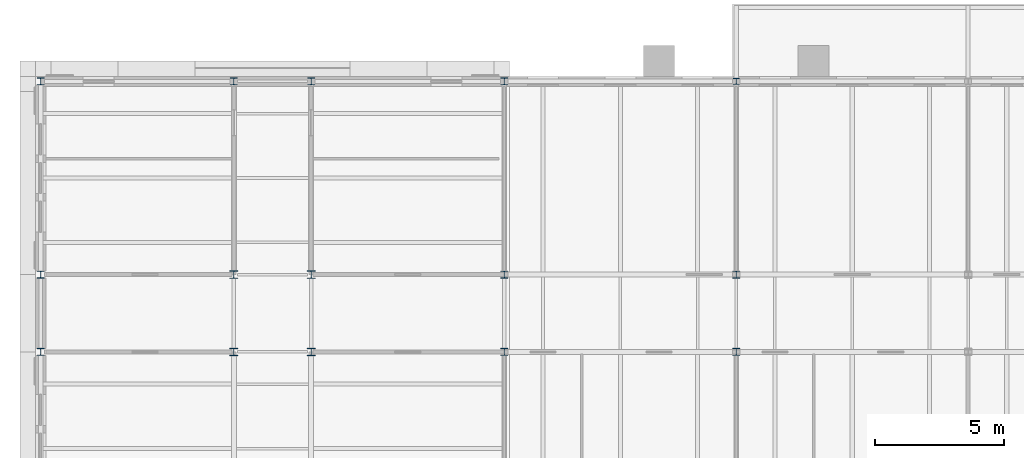
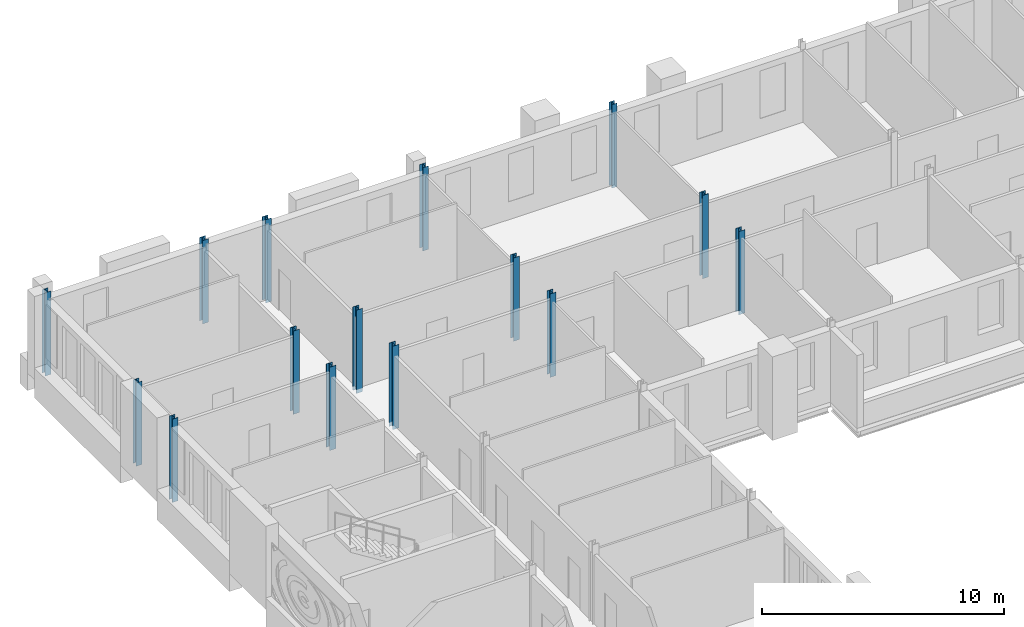
# One storey, part 10 of 154: 15 columns.
"""IFC4 building model written with IfcOpenShell, lengths in metres."""

import ifcopenshell
import ifcopenshell.guid

model = None  # the IFC model being written
_history = None  # IfcOwnerHistory: only IFC2X3 demands one
_inside = {}  # id of a spatial element -> (the spatial element, [elements in it])
_under = {}  # id of a project, library or spatial element -> (it, [spatial elements below it])
_declared = {}  # id of a project -> (the project, [libraries it declares])
_typed = {}  # id of a type object -> (the type object, [elements of that type])
_made_of = {}  # id of a material, layer set ... -> (it, [elements and type objects made of it])


def new_model(schema):
    """Start an empty IFC model of exactly this schema.

    Asked for "IFC4X3", IfcOpenShell would pick the latest addendum, in which some entities
    have other attributes; the version numbers below select the first issue.
    IFC2X3 requires an IfcOwnerHistory on every rooted entity: one is made here for all.
    """
    global model, _history
    if schema == "IFC4X3":
        model = ifcopenshell.file(schema_version=(4, 3, 0, 0))
    else:
        model = ifcopenshell.file(schema=schema)
    _inside.clear()
    _under.clear()
    _declared.clear()
    _typed.clear()
    _made_of.clear()
    _history = None
    if model.schema == "IFC2X3":
        org = make("IfcOrganization", Name="unknown")
        user = make(
            "IfcPersonAndOrganization",
            ThePerson=make("IfcPerson", FamilyName="unknown"),
            TheOrganization=org,
        )
        app = make(
            "IfcApplication",
            ApplicationDeveloper=org,
            Version="unknown",
            ApplicationFullName="unknown",
            ApplicationIdentifier="unknown",
        )
        _history = make(
            "IfcOwnerHistory",
            OwningUser=user,
            OwningApplication=app,
            ChangeAction="ADDED",
            CreationDate=0,
        )
    return model


def make(cls, **values):
    """One entity of the class cls with the attributes given. An attribute that is None is left unset."""
    return model.create_entity(
        cls, **{name: value for name, value in values.items() if value is not None}
    )


def rooted(cls, **values):
    """An entity with a GlobalId (a new one), such as an element, a storey or a relation."""
    return make(cls, GlobalId=ifcopenshell.guid.new(), OwnerHistory=_history, **values)


def si_unit(unit_type, name, prefix=None):
    """IfcSIUnit, for example si_unit("LENGTHUNIT", "METRE", prefix="MILLI")."""
    return make("IfcSIUnit", UnitType=unit_type, Prefix=prefix, Name=name)


def assignment(units):
    """IfcUnitAssignment: the units of a project."""
    return None if units is None else make("IfcUnitAssignment", Units=units)


def point(xyz):
    """IfcCartesianPoint."""
    return None if xyz is None else make("IfcCartesianPoint", Coordinates=xyz)


def direction(xyz):
    """IfcDirection."""
    return None if xyz is None else make("IfcDirection", DirectionRatios=xyz)


def frame(location, z_axis=None, x_axis=None):
    """IfcAxis2Placement3D, a coordinate frame: its origin and axes. An axis left out is left unset."""
    return make(
        "IfcAxis2Placement3D",
        Location=point(location),
        Axis=direction(z_axis),
        RefDirection=direction(x_axis),
    )


def frame_2d(location, x_axis=None):
    """IfcAxis2Placement2D, a coordinate frame in the plane: its origin and x axis."""
    return make(
        "IfcAxis2Placement2D", Location=point(location), RefDirection=direction(x_axis)
    )


def origin():
    """The frame at (0, 0, 0) with its axes left unset."""
    return frame((0.0, 0.0, 0.0))


def origin_2d():
    """The frame at (0, 0) in the plane with its x axis left unset."""
    return frame_2d((0.0, 0.0))


def place(relative_to, where):
    """IfcLocalPlacement: puts the frame where relative to a parent placement (None: the world)."""
    return make(
        "IfcLocalPlacement", PlacementRelTo=relative_to, RelativePlacement=where
    )


def context(
    kind, dimensions, precision=None, world=None, true_north=None, identifier=None
):
    """IfcGeometricRepresentationContext, for example the 3D "Model" context."""
    return make(
        "IfcGeometricRepresentationContext",
        ContextIdentifier=identifier,
        ContextType=kind,
        CoordinateSpaceDimension=dimensions,
        Precision=precision,
        WorldCoordinateSystem=world,
        TrueNorth=true_north,
    )


def subcontext(parent, identifier, kind, view, scale=None):
    """IfcGeometricRepresentationSubContext, for example "Body" below "Model"."""
    return make(
        "IfcGeometricRepresentationSubContext",
        ContextIdentifier=identifier,
        ContextType=kind,
        ParentContext=parent,
        TargetScale=scale,
        TargetView=view,
    )


def project(units=None, contexts=None):
    """IfcProject with its units and contexts."""
    return rooted(
        "IfcProject",
        Name="project",
        RepresentationContexts=contexts,
        UnitsInContext=assignment(units),
    )


def spatial(cls, under=None, at=None, **own):
    """A site, building, storey or space (cls), placed at a placement, below another one or the project."""
    s = rooted(cls, ObjectPlacement=at, **own)
    if under is not None:
        _under.setdefault(under.id(), (under, []))[1].append(s)
    return s


def profile(cls, at=None, kind="AREA", **sizes):
    """A parametric profile (cls). Its sizes go by their IFC names, for example OverallWidth=200.0."""
    return make(cls, ProfileType=kind, Position=at, **sizes)


def i_section(**sizes):
    """IfcIShapeProfileDef."""
    return profile("IfcIShapeProfileDef", **sizes)


def extrude(swept, where, along, depth):
    """IfcExtrudedAreaSolid: the profile swept, set in the frame where, extruded along a direction by depth."""
    return make(
        "IfcExtrudedAreaSolid",
        SweptArea=swept,
        Position=where,
        ExtrudedDirection=direction(along),
        Depth=depth,
    )


def shape(context_of_items, identifier, shape_type, items):
    """IfcShapeRepresentation: the items that make up one representation, for example the "Body"."""
    return make(
        "IfcShapeRepresentation",
        ContextOfItems=context_of_items,
        RepresentationIdentifier=identifier,
        RepresentationType=shape_type,
        Items=items,
    )


def material(Name=None, Category=None):
    """IfcMaterial."""
    return make("IfcMaterial", Name=Name, Category=Category)


def material_profile(
    of_material, cross_section, Name=None, Category=None, Priority=None
):
    """IfcMaterialProfile: a cross section and its material."""
    return make(
        "IfcMaterialProfile",
        Name=Name,
        Material=of_material,
        Profile=cross_section,
        Priority=Priority,
        Category=Category,
    )


def profile_set(profiles, Name=None, composite=None):
    """IfcMaterialProfileSet."""
    return make(
        "IfcMaterialProfileSet",
        Name=Name,
        MaterialProfiles=profiles,
        CompositeProfile=composite,
    )


def made_of(thing, what):
    """Note that an element or type object is made of a material, layer set ...; save() writes the relation."""
    if what is not None:
        _made_of.setdefault(what.id(), (what, []))[1].append(thing)
    return thing


def type_object(cls, material=None, **own):
    """A type object (cls), such as IfcWallType, which elements share."""
    return made_of(rooted(cls, **own), material)


def element(
    cls,
    number,
    at=None,
    inside=None,
    cuts=None,
    type_object=None,
    material=None,
    context=None,
    identifier="Body",
    shape_type=None,
    held_by="IfcProductDefinitionShape",
    body=None,
    shapes=None,
    **own,
):
    """One element of the class cls, such as IfcWall. Its Tag is "e" and its number.

    at: its placement. inside: the storey or other place that contains it. cuts: it is an
    opening in that element (IfcRelVoidsElement). A single representation is given by context,
    identifier, shape_type and body (its items); several are given by shapes. held_by: the class
    of the entity that holds the representations. save() writes the other relations.
    """
    e = rooted(cls, Tag="e%d" % number, ObjectPlacement=at, **own)
    if body is not None:
        shapes = [shape(context, identifier, shape_type, body)]
    if shapes is not None:
        e.Representation = make(held_by, Representations=shapes)
    if inside is not None:
        _inside.setdefault(inside.id(), (inside, []))[1].append(e)
    if cuts is not None:
        rooted(
            "IfcRelVoidsElement", RelatingBuildingElement=cuts, RelatedOpeningElement=e
        )
    if type_object is not None:
        _typed.setdefault(type_object.id(), (type_object, []))[1].append(e)
    return made_of(e, material)


def aggregate(whole, parts):
    """IfcRelAggregates: a whole, such as a stair, and the parts it consists of."""
    return rooted("IfcRelAggregates", RelatingObject=whole, RelatedObjects=parts)


def save(model, path):
    """Write the relations noted so far, then the file.

    IfcRelAggregates (storeys below a building ...), IfcRelContainedInSpatialStructure (elements
    in a storey), IfcRelDefinesByType, IfcRelAssociatesMaterial and IfcRelDeclares: one each for
    every whole, place, type object, material and project.
    """
    for whole, parts in _under.values():
        aggregate(whole, parts)
    for where, things in _inside.values():
        rooted(
            "IfcRelContainedInSpatialStructure",
            RelatedElements=things,
            RelatingStructure=where,
        )
    for kind, things in _typed.values():
        rooted("IfcRelDefinesByType", RelatedObjects=things, RelatingType=kind)
    for what, things in _made_of.values():
        rooted("IfcRelAssociatesMaterial", RelatedObjects=things, RelatingMaterial=what)
    for by, libraries in _declared.values():
        rooted("IfcRelDeclares", RelatingContext=by, RelatedDefinitions=libraries)
    model.write(path)


model = new_model("IFC4")

# Units and contexts
model_context = context("Model", 3, precision=1e-05, world=origin(), true_north=direction((0.0, 1.0)))
body_context = subcontext(model_context, "Body", "Model", "MODEL_VIEW")
ifc_project = project(units=[si_unit("LENGTHUNIT", "METRE"), si_unit("AREAUNIT", "SQUARE_METRE"), si_unit("VOLUMEUNIT", "CUBIC_METRE"), si_unit("PLANEANGLEUNIT", "RADIAN"), si_unit("MASSUNIT", "GRAM", prefix="KILO")], contexts=[model_context])

# Site, building, storey
site_placement = place(None, origin())
site = spatial("IfcSite", under=ifc_project, at=site_placement, CompositionType="ELEMENT")
building_placement = place(site_placement, origin())
building = spatial("IfcBuilding", under=site, at=building_placement, Name="Golden Quay Civic Hall", CompositionType="ELEMENT")
storey_placement = place(building_placement, frame((0.0, 0.0, 14.39990234375)))
storey = spatial("IfcBuildingStorey", under=building, at=storey_placement, Name="L03", CompositionType="ELEMENT", Elevation=14.39990234375)

# Columns
ifc_material_1 = material(Name="Steel S355", Category="steel")
ifc_material_profile_1 = material_profile(ifc_material_1, i_section(OverallWidth=0.239990234375, OverallDepth=0.22998046875, WebThickness=0.007568359375, FlangeThickness=0.011962890625, FilletRadius=0.02099609375, at=origin_2d()), Name="HEA 240")
ifc_profile_set_1 = profile_set([ifc_material_profile_1], Name="Steel S355")
column_type_1 = type_object("IfcColumnType", Name="Steel column HEA 240", PredefinedType="COLUMN", material=ifc_profile_set_1)
column_placement = place(storey_placement, frame((27.0, 81.0, -0.199951171875), z_axis=(0.0, 0.0, 1.0), x_axis=(1.0, 0.0, 0.0)))
element("IfcColumn", 1, at=column_placement, inside=storey, type_object=column_type_1, Name="Column 27/81 L03", PredefinedType="COLUMN", context=body_context, shape_type="SweptSolid", body=[
    extrude(i_section(OverallWidth=0.239990234375, OverallDepth=0.22998046875, WebThickness=0.007568359375, FlangeThickness=0.011962890625, FilletRadius=0.02099609375, at=origin_2d()), origin(), (0.0, 0.0, 1.0), 4.199951171875),
])
ifc_material_2 = material(Name="Steel S355", Category="steel")
ifc_material_profile_2 = material_profile(ifc_material_2, i_section(OverallWidth=0.280029296875, OverallDepth=0.27001953125, WebThickness=0.008056640625, FlangeThickness=0.012939453125, FilletRadius=0.02392578125, at=origin_2d()), Name="HEA 280")
ifc_profile_set_2 = profile_set([ifc_material_profile_2], Name="Steel S355")
column_type_2 = type_object("IfcColumnType", Name="Steel column HEA 280", PredefinedType="COLUMN", material=ifc_profile_set_2)
for number, where, z_axis, x_axis, name in (
    (2, (0.0, 70.5, -0.199951171875), (0.0, 0.0, 1.0), (1.0, 0.0, 0.0), "Column 0/70.5 L03"),
    (3, (0.0, 73.5, -0.199951171875), (0.0, 0.0, 1.0), (1.0, 0.0, 0.0), "Column 0/73.5 L03"),
    (4, (0.0, 81.0, -0.199951171875), (0.0, 0.0, 1.0), (1.0, 0.0, 0.0), "Column 0/81 L03"),
    (5, (7.5, 81.0, -0.199951171875), (0.0, 0.0, 1.0), (1.0, 0.0, 0.0), "Column 7.5/81 L03"),
    (6, (10.5, 81.0, -0.199951171875), (0.0, 0.0, 1.0), (1.0, 0.0, 0.0), "Column 10.5/81 L03"),
    (7, (18.0, 70.5, -0.199951171875), (0.0, 0.0, 1.0), (1.0, 0.0, 0.0), "Column 18/70.5 L03"),
    (8, (18.0, 73.5, -0.199951171875), (0.0, 0.0, 1.0), (1.0, 0.0, 0.0), "Column 18/73.5 L03"),
    (9, (18.0, 81.0, -0.199951171875), (0.0, 0.0, 1.0), (1.0, 0.0, 0.0), "Column 18/81 L03"),
    (10, (27.0, 70.5, -0.199951171875), (0.0, 0.0, 1.0), (1.0, 0.0, 0.0), "Column 27/70.5 L03"),
    (11, (27.0, 73.5, -0.199951171875), (0.0, 0.0, 1.0), (1.0, 0.0, 0.0), "Column 27/73.5 L03"),
):
    element("IfcColumn", number, at=place(storey_placement, frame(where, z_axis=z_axis, x_axis=x_axis)), inside=storey, type_object=column_type_2, Name=name, PredefinedType="COLUMN", context=body_context, shape_type="SweptSolid", body=[
        extrude(i_section(OverallWidth=0.280029296875, OverallDepth=0.27001953125, WebThickness=0.008056640625, FlangeThickness=0.012939453125, FilletRadius=0.02392578125, at=origin_2d()), origin(), (0.0, 0.0, 1.0), 4.199951171875),
    ])
ifc_material_3 = material(Name="Steel S355", Category="steel")
ifc_material_profile_3 = material_profile(ifc_material_3, i_section(OverallWidth=0.300048828125, OverallDepth=0.2900390625, WebThickness=0.008544921875, FlangeThickness=0.013916015625, FilletRadius=0.027099609375, at=origin_2d()), Name="HEA 300")
ifc_profile_set_3 = profile_set([ifc_material_profile_3], Name="Steel S355")
column_type_3 = type_object("IfcColumnType", Name="Steel column HEA 300", PredefinedType="COLUMN", material=ifc_profile_set_3)
for number, where, z_axis, x_axis, name in (
    (12, (7.5, 70.5, -0.199951171875), (0.0, 0.0, 1.0), (1.0, 0.0, 0.0), "Column 7.5/70.5 L03"),
    (13, (7.5, 73.5, -0.199951171875), (0.0, 0.0, 1.0), (1.0, 0.0, 0.0), "Column 7.5/73.5 L03"),
    (14, (10.5, 70.5, -0.199951171875), (0.0, 0.0, 1.0), (1.0, 0.0, 0.0), "Column 10.5/70.5 L03"),
    (15, (10.5, 73.5, -0.199951171875), (0.0, 0.0, 1.0), (1.0, 0.0, 0.0), "Column 10.5/73.5 L03"),
):
    element("IfcColumn", number, at=place(storey_placement, frame(where, z_axis=z_axis, x_axis=x_axis)), inside=storey, type_object=column_type_3, Name=name, PredefinedType="COLUMN", context=body_context, shape_type="SweptSolid", body=[
        extrude(i_section(OverallWidth=0.300048828125, OverallDepth=0.2900390625, WebThickness=0.008544921875, FlangeThickness=0.013916015625, FilletRadius=0.027099609375, at=origin_2d()), origin(), (0.0, 0.0, 1.0), 4.199951171875),
    ])

save(model, "model.ifc")
